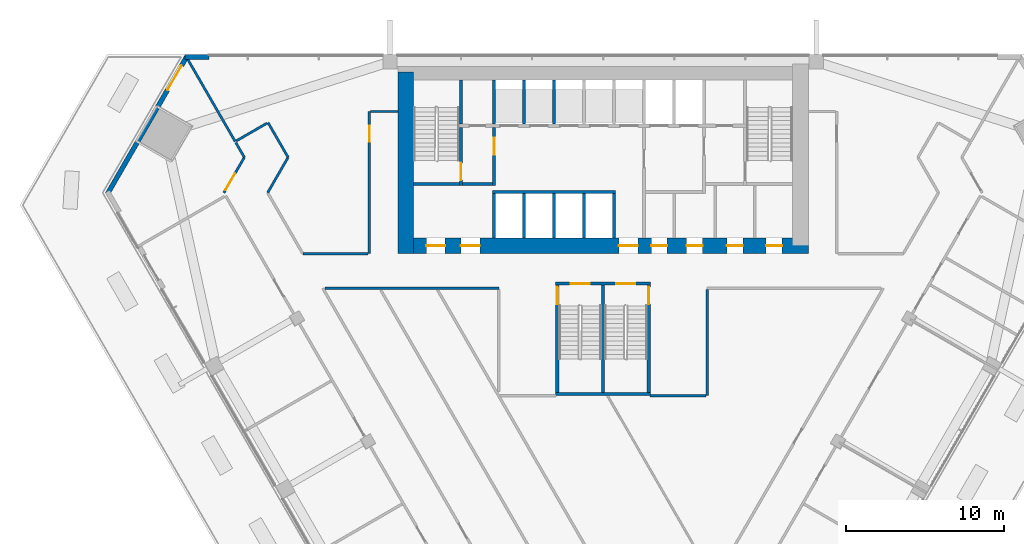
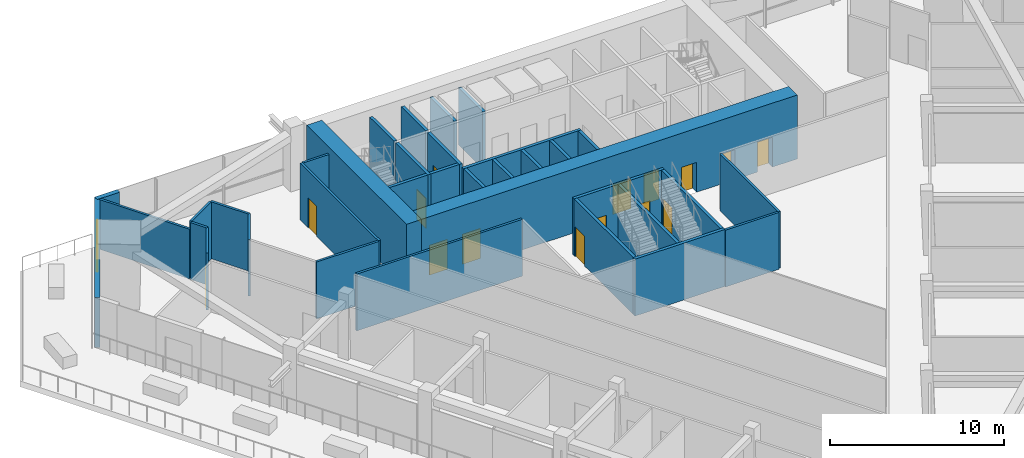
# One storey, part 10 of 15: 35 walls, 16 doors, 16 openings.
"""IFC4 building model written with IfcOpenShell, lengths in metres."""

from ifc_helpers import new_model, si_unit, direction, frame, frame_2d, origin, place, context, subcontext, project, spatial, rectangle, extrude, material, layer, layer_set, type_object, element, fill, save


model = new_model("IFC4")

# Units and contexts
model_context = context("Model", 3, precision=1e-05, world=origin(), true_north=direction((0.0, 1.0)))
body_context = subcontext(model_context, "Body", "Model", "MODEL_VIEW")
ifc_project = project(units=[si_unit("LENGTHUNIT", "METRE"), si_unit("AREAUNIT", "SQUARE_METRE"), si_unit("VOLUMEUNIT", "CUBIC_METRE"), si_unit("PLANEANGLEUNIT", "RADIAN"), si_unit("MASSUNIT", "GRAM", prefix="KILO")], contexts=[model_context])

# Site, building, storey
site_placement = place(None, origin())
site = spatial("IfcSite", under=ifc_project, at=site_placement, CompositionType="ELEMENT")
building_placement = place(site_placement, origin())
building = spatial("IfcBuilding", under=site, at=building_placement, Name="Altiplano Prism Tower", CompositionType="ELEMENT")
storey_placement = place(building_placement, frame((0.0, 0.0, 22.5)))
storey = spatial("IfcBuildingStorey", under=building, at=storey_placement, Name="L04", CompositionType="ELEMENT", Elevation=22.5)

# Wall, openings, doors
ifc_material_1 = material(Name="Concrete C70/85", Category="concrete")
ifc_layer_1 = layer(ifc_material_1, 1.0)
ifc_layer_set_1 = layer_set([ifc_layer_1], Name="Concrete C70/85")
wall_type_1 = type_object("IfcWallType", Name="Core wall 1000", PredefinedType="SHEAR", material=ifc_layer_set_1)
wall_1_placement = place(storey_placement, frame((72.5, 92.89990234375, 0.0), z_axis=(0.0, 0.0, 1.0), x_axis=(1.0, 0.0, 0.0)))
wall_1 = element("IfcWall", 1, at=wall_1_placement, inside=storey, type_object=wall_type_1, Name="Core wall S L04", PredefinedType="SHEAR", context=body_context, shape_type="SweptSolid", body=[
    extrude(rectangle(XDim=25.5, YDim=1.0, at=frame_2d((12.75, 0.0))), origin(), (0.0, 0.0, 1.0), 4.5),
])
opening_1_placement = place(wall_1_placement, frame((1.300048828125, 0.0, 0.0)))
opening_1 = element("IfcOpeningElement", 2, at=opening_1_placement, cuts=wall_1, Name="Opening D2645", PredefinedType="OPENING", context=body_context, shape_type="SweptSolid", body=[
    extrude(rectangle(XDim=1.199951171875, YDim=2.10009765625, at=frame_2d((0.60009765625, 1.050048828125))), frame((0.0, 0.510498046875, 0.0), z_axis=(0.0, -1.0, 0.0), x_axis=(1.0, 0.0, 0.0)), (0.0, 0.0, 1.0), 1.02099609375),
])
opening_2_placement = place(wall_1_placement, frame((3.5, 0.0, 0.0)))
opening_2 = element("IfcOpeningElement", 3, at=opening_2_placement, cuts=wall_1, Name="Opening D2646", PredefinedType="OPENING", context=body_context, shape_type="SweptSolid", body=[
    extrude(rectangle(XDim=1.199951171875, YDim=2.10009765625, at=frame_2d((0.60009765625, 1.050048828125))), frame((0.0, 0.510498046875, 0.0), z_axis=(0.0, -1.0, 0.0), x_axis=(1.0, 0.0, 0.0)), (0.0, 0.0, 1.0), 1.02099609375),
])
opening_3_placement = place(wall_1_placement, frame((13.5, 0.0, 0.0)))
opening_3 = element("IfcOpeningElement", 4, at=opening_3_placement, cuts=wall_1, Name="Opening D2647", PredefinedType="OPENING", context=body_context, shape_type="SweptSolid", body=[
    extrude(rectangle(XDim=1.199951171875, YDim=2.10009765625, at=frame_2d((0.60009765625, 1.050048828125))), frame((0.0, 0.510498046875, 0.0), z_axis=(0.0, -1.0, 0.0), x_axis=(1.0, 0.0, 0.0)), (0.0, 0.0, 1.0), 1.02099609375),
])
opening_4_placement = place(wall_1_placement, frame((15.5625, 0.0, 0.0)))
opening_4 = element("IfcOpeningElement", 5, at=opening_4_placement, cuts=wall_1, Name="Opening D2650", PredefinedType="OPENING", context=body_context, shape_type="SweptSolid", body=[
    extrude(rectangle(XDim=1.0, YDim=2.10009765625, at=frame_2d((0.5, 1.050048828125))), frame((0.0, 0.510498046875, 0.0), z_axis=(0.0, -1.0, 0.0), x_axis=(1.0, 0.0, 0.0)), (0.0, 0.0, 1.0), 1.02099609375),
])
opening_5_placement = place(wall_1_placement, frame((17.800048828125, 0.0, 0.0)))
opening_5 = element("IfcOpeningElement", 6, at=opening_5_placement, cuts=wall_1, Name="Opening D2651", PredefinedType="OPENING", context=body_context, shape_type="SweptSolid", body=[
    extrude(rectangle(XDim=1.0, YDim=2.10009765625, at=frame_2d((0.5, 1.050048828125))), frame((0.0, 0.510498046875, 0.0), z_axis=(0.0, -1.0, 0.0), x_axis=(1.0, 0.0, 0.0)), (0.0, 0.0, 1.0), 1.02099609375),
])
opening_6_placement = place(wall_1_placement, frame((20.35009765625, 0.0, 0.0)))
opening_6 = element("IfcOpeningElement", 7, at=opening_6_placement, cuts=wall_1, Name="Opening D2652", PredefinedType="OPENING", context=body_context, shape_type="SweptSolid", body=[
    extrude(rectangle(XDim=1.0, YDim=2.10009765625, at=frame_2d((0.5, 1.050048828125))), frame((0.0, 0.510498046875, 0.0), z_axis=(0.0, -1.0, 0.0), x_axis=(1.0, 0.0, 0.0)), (0.0, 0.0, 1.0), 1.02099609375),
])
opening_7_placement = place(wall_1_placement, frame((22.83740234375, 0.0, 0.0)))
opening_7 = element("IfcOpeningElement", 8, at=opening_7_placement, cuts=wall_1, Name="Opening D2653", PredefinedType="OPENING", context=body_context, shape_type="SweptSolid", body=[
    extrude(rectangle(XDim=1.0, YDim=2.10009765625, at=frame_2d((0.5, 1.050048828125))), frame((0.0, 0.510498046875, 0.0), z_axis=(0.0, -1.0, 0.0), x_axis=(1.0, 0.0, 0.0)), (0.0, 0.0, 1.0), 1.02099609375),
])
ifc_material_2 = material(Name="Fire-rated steel door", Category="steel")
door_type_1 = type_object("IfcDoorType", Name="Core room door 1000 x 2100", OperationType="NOTDEFINED", PredefinedType="NOTDEFINED", material=ifc_material_2)
door_1_placement = place(opening_4_placement, origin())
door_1 = element("IfcDoor", 9, at=door_1_placement, inside=storey, type_object=door_type_1, Name="Core room door D2650", OperationType="SINGLE_SWING_RIGHT", OverallHeight=2.10009765625, OverallWidth=1.0, PredefinedType="NOTDEFINED", context=body_context, shape_type="SweptSolid", body=[
    extrude(rectangle(XDim=1.0, YDim=2.10009765625, at=frame_2d((0.5, 1.050048828125))), frame((0.0, 0.02490234375, 0.0), z_axis=(0.0, -1.0, 0.0), x_axis=(1.0, 0.0, 0.0)), (0.0, 0.0, 1.0), 0.050048828125),
])
fill(opening_4, door_1)
door_2_placement = place(opening_5_placement, origin())
door_2 = element("IfcDoor", 10, at=door_2_placement, inside=storey, type_object=door_type_1, Name="Core room door D2651", OperationType="SINGLE_SWING_LEFT", OverallHeight=2.10009765625, OverallWidth=1.0, PredefinedType="NOTDEFINED", context=body_context, shape_type="SweptSolid", body=[
    extrude(rectangle(XDim=1.0, YDim=2.10009765625, at=frame_2d((0.5, 1.050048828125))), frame((0.0, 0.02490234375, 0.0), z_axis=(0.0, -1.0, 0.0), x_axis=(1.0, 0.0, 0.0)), (0.0, 0.0, 1.0), 0.050048828125),
])
fill(opening_5, door_2)
door_3_placement = place(opening_6_placement, origin())
door_3 = element("IfcDoor", 11, at=door_3_placement, inside=storey, type_object=door_type_1, Name="Core room door D2652", OperationType="SINGLE_SWING_RIGHT", OverallHeight=2.10009765625, OverallWidth=1.0, PredefinedType="NOTDEFINED", context=body_context, shape_type="SweptSolid", body=[
    extrude(rectangle(XDim=1.0, YDim=2.10009765625, at=frame_2d((0.5, 1.050048828125))), frame((0.0, 0.02490234375, 0.0), z_axis=(0.0, -1.0, 0.0), x_axis=(1.0, 0.0, 0.0)), (0.0, 0.0, 1.0), 0.050048828125),
])
fill(opening_6, door_3)
door_4_placement = place(opening_7_placement, origin())
door_4 = element("IfcDoor", 12, at=door_4_placement, inside=storey, type_object=door_type_1, Name="Core room door D2653", OperationType="SINGLE_SWING_LEFT", OverallHeight=2.10009765625, OverallWidth=1.0, PredefinedType="NOTDEFINED", context=body_context, shape_type="SweptSolid", body=[
    extrude(rectangle(XDim=1.0, YDim=2.10009765625, at=frame_2d((0.5, 1.050048828125))), frame((0.0, 0.02490234375, 0.0), z_axis=(0.0, -1.0, 0.0), x_axis=(1.0, 0.0, 0.0)), (0.0, 0.0, 1.0), 0.050048828125),
])
fill(opening_7, door_4)
door_type_2 = type_object("IfcDoorType", Name="Lobby fire door 1200 x 2100", OperationType="NOTDEFINED", PredefinedType="NOTDEFINED", material=ifc_material_2)
door_5_placement = place(opening_1_placement, origin())
door_5 = element("IfcDoor", 13, at=door_5_placement, inside=storey, type_object=door_type_2, Name="Lobby fire door D2645", OperationType="SINGLE_SWING_RIGHT", OverallHeight=2.10009765625, OverallWidth=1.199951171875, PredefinedType="NOTDEFINED", context=body_context, shape_type="SweptSolid", body=[
    extrude(rectangle(XDim=1.199951171875, YDim=2.10009765625, at=frame_2d((0.60009765625, 1.050048828125))), frame((0.0, 0.02490234375, 0.0), z_axis=(0.0, -1.0, 0.0), x_axis=(1.0, 0.0, 0.0)), (0.0, 0.0, 1.0), 0.050048828125),
])
fill(opening_1, door_5)
door_6_placement = place(opening_2_placement, origin())
door_6 = element("IfcDoor", 14, at=door_6_placement, inside=storey, type_object=door_type_2, Name="Lobby fire door D2646", OperationType="SINGLE_SWING_LEFT", OverallHeight=2.10009765625, OverallWidth=1.199951171875, PredefinedType="NOTDEFINED", context=body_context, shape_type="SweptSolid", body=[
    extrude(rectangle(XDim=1.199951171875, YDim=2.10009765625, at=frame_2d((0.60009765625, 1.050048828125))), frame((0.0, 0.02490234375, 0.0), z_axis=(0.0, -1.0, 0.0), x_axis=(1.0, 0.0, 0.0)), (0.0, 0.0, 1.0), 0.050048828125),
])
fill(opening_2, door_6)
door_7_placement = place(opening_3_placement, origin())
door_7 = element("IfcDoor", 15, at=door_7_placement, inside=storey, type_object=door_type_2, Name="Lobby fire door D2647", OperationType="SINGLE_SWING_RIGHT", OverallHeight=2.10009765625, OverallWidth=1.199951171875, PredefinedType="NOTDEFINED", context=body_context, shape_type="SweptSolid", body=[
    extrude(rectangle(XDim=1.199951171875, YDim=2.10009765625, at=frame_2d((0.60009765625, 1.050048828125))), frame((0.0, 0.02490234375, 0.0), z_axis=(0.0, -1.0, 0.0), x_axis=(1.0, 0.0, 0.0)), (0.0, 0.0, 1.0), 0.050048828125),
])
fill(opening_3, door_7)

# Walls
wall_2_placement = place(storey_placement, frame((72.5, 103.89990234375, 0.0), z_axis=(0.0, 0.0, 1.0), x_axis=(0.0, -1.0, 0.0)))
element("IfcWall", 16, at=wall_2_placement, inside=storey, type_object=wall_type_1, Name="Core wall W L04", PredefinedType="SHEAR", context=body_context, shape_type="SweptSolid", body=[
    extrude(rectangle(XDim=11.5, YDim=1.0, at=frame_2d((5.75, 0.0))), origin(), (0.0, 0.0, 1.0), 4.5),
])
ifc_material_3 = material(Name="Plasterboard on steel stud", Category="steel")
ifc_layer_2 = layer(ifc_material_3, 0.14990234375)
ifc_layer_set_2 = layer_set([ifc_layer_2], Name="Plasterboard on steel stud")
wall_type_2 = type_object("IfcWallType", Name="Partition 150 corridor", PredefinedType="PARTITIONING", material=ifc_layer_set_2)
wall_3_placement = place(storey_placement, frame((61.735595703125, 99.435791015625, 0.0), z_axis=(0.0, 0.0, 1.0), x_axis=(0.500002782129, -0.866023797515, 0.0)))
element("IfcWall", 17, at=wall_3_placement, inside=storey, type_object=wall_type_2, Name="Partition P06 L04 001", PredefinedType="PARTITIONING", context=body_context, shape_type="SweptSolid", body=[
    extrude(rectangle(XDim=1.08056640625, YDim=0.14990234375, at=frame_2d((0.540283203125, 0.0))), origin(), (0.0, 0.0, 1.0), 4.0),
])

# Wall, opening, door
wall_4_placement = place(storey_placement, frame((62.27587890625, 98.5, 0.0), z_axis=(0.0, 0.0, 1.0), x_axis=(-0.499939993713, -0.866060045659, 0.0)))
wall_4 = element("IfcWall", 18, at=wall_4_placement, inside=storey, type_object=wall_type_2, Name="Partition P06 L04 002", PredefinedType="PARTITIONING", context=body_context, shape_type="SweptSolid", body=[
    extrude(rectangle(XDim=2.590576171875, YDim=0.14990234375, at=frame_2d((1.29541015625, 0.0))), origin(), (0.0, 0.0, 1.0), 4.0),
])
opening_8_placement = place(wall_4_placement, frame((1.19091796875, 0.0, 0.0)))
opening_8 = element("IfcOpeningElement", 19, at=opening_8_placement, cuts=wall_4, Name="Opening D0112", PredefinedType="OPENING", context=body_context, shape_type="SweptSolid", body=[
    extrude(rectangle(XDim=1.199951171875, YDim=2.10009765625, at=frame_2d((0.60009765625, 1.050048828125))), frame((0.0, 0.08544921875, 0.0), z_axis=(0.0, -1.0, 0.0), x_axis=(1.0, 0.0, 0.0)), (0.0, 0.0, 1.0), 0.1708984375),
])
ifc_material_4 = material(Name="Timber", Category="wood")
door_type_3 = type_object("IfcDoorType", Name="Shared room door 1200 x 2100", OperationType="NOTDEFINED", PredefinedType="NOTDEFINED", material=ifc_material_4)
door_8_placement = place(opening_8_placement, origin())
door_8 = element("IfcDoor", 20, at=door_8_placement, inside=storey, type_object=door_type_3, Name="Door D0112", OperationType="SINGLE_SWING_LEFT", OverallHeight=2.10009765625, OverallWidth=1.199951171875, PredefinedType="NOTDEFINED", context=body_context, shape_type="SweptSolid", body=[
    extrude(rectangle(XDim=1.199951171875, YDim=2.10009765625, at=frame_2d((0.60009765625, 1.050048828125))), frame((0.0, 0.02490234375, 0.0), z_axis=(0.0, -1.0, 0.0), x_axis=(1.0, 0.0, 0.0)), (0.0, 0.0, 1.0), 0.050048828125),
])
fill(opening_8, door_8)

# Walls
wall_5_placement = place(storey_placement, frame((87.97998046875, 83.39990234375, 0.0), z_axis=(0.0, 0.0, 1.0), x_axis=(0.99999999763, -6.8851556e-05, 0.0)))
element("IfcWall", 21, at=wall_5_placement, inside=storey, type_object=wall_type_2, Name="Partition P06 L04 008", PredefinedType="PARTITIONING", context=body_context, shape_type="SweptSolid", body=[
    extrude(rectangle(XDim=3.5458984375, YDim=0.14990234375, at=frame_2d((1.77294921875, 0.0))), origin(), (0.0, 0.0, 1.0), 4.0),
])
wall_6_placement = place(storey_placement, frame((91.600830078125, 83.3994140625, 0.0), z_axis=(0.0, 0.0, 1.0), x_axis=(3.6305547e-05, 0.999999999341, 0.0)))
element("IfcWall", 22, at=wall_6_placement, inside=storey, type_object=wall_type_2, Name="Partition P06 L04 009", PredefinedType="PARTITIONING", context=body_context, shape_type="SweptSolid", body=[
    extrude(rectangle(XDim=6.724609375, YDim=0.14990234375, at=frame_2d((3.3623046875, 0.0))), origin(), (0.0, 0.0, 1.0), 4.0),
])
wall_7_placement = place(storey_placement, frame((72.0, 101.40087890625, 0.0), z_axis=(0.0, 0.0, 1.0), x_axis=(-0.999999909973, -0.000424328109, 0.0)))
element("IfcWall", 23, at=wall_7_placement, inside=storey, type_object=wall_type_2, Name="Partition P06 L04 022", PredefinedType="PARTITIONING", context=body_context, shape_type="SweptSolid", body=[
    extrude(rectangle(XDim=1.72607421875, YDim=0.14990234375, at=frame_2d((0.863037109375, 0.0))), origin(), (0.0, 0.0, 1.0), 4.0),
])

# Wall, opening, door
wall_8_placement = place(storey_placement, frame((70.198974609375, 101.400146484375, 0.0), z_axis=(0.0, 0.0, 1.0), x_axis=(0.0, -1.0, 0.0)))
wall_8 = element("IfcWall", 24, at=wall_8_placement, inside=storey, type_object=wall_type_2, Name="Partition P06 L04 023", PredefinedType="PARTITIONING", context=body_context, shape_type="SweptSolid", body=[
    extrude(rectangle(XDim=8.999267578125, YDim=0.14990234375, at=frame_2d((4.49951171875, 0.0))), origin(), (0.0, 0.0, 1.0), 4.0),
])
opening_9_placement = place(wall_8_placement, frame((0.902099609375, 0.0, 0.0)))
opening_9 = element("IfcOpeningElement", 25, at=opening_9_placement, cuts=wall_8, Name="Opening D0132", PredefinedType="OPENING", context=body_context, shape_type="SweptSolid", body=[
    extrude(rectangle(XDim=1.0, YDim=2.10009765625, at=frame_2d((0.5, 1.050048828125))), frame((0.0, 0.08544921875, 0.0), z_axis=(0.0, -1.0, 0.0), x_axis=(1.0, 0.0, 0.0)), (0.0, 0.0, 1.0), 0.1708984375),
])
door_type_4 = type_object("IfcDoorType", Name="Store door 1000 x 2100", OperationType="NOTDEFINED", PredefinedType="NOTDEFINED", material=ifc_material_4)
door_9_placement = place(opening_9_placement, origin())
door_9 = element("IfcDoor", 26, at=door_9_placement, inside=storey, type_object=door_type_4, Name="Door D0132", OperationType="SINGLE_SWING_LEFT", OverallHeight=2.10009765625, OverallWidth=1.0, PredefinedType="NOTDEFINED", context=body_context, shape_type="SweptSolid", body=[
    extrude(rectangle(XDim=1.0, YDim=2.10009765625, at=frame_2d((0.5, 1.050048828125))), frame((0.0, 0.02490234375, 0.0), z_axis=(0.0, -1.0, 0.0), x_axis=(1.0, 0.0, 0.0)), (0.0, 0.0, 1.0), 0.050048828125),
])
fill(opening_9, door_9)

# Walls
wall_9_placement = place(storey_placement, frame((70.1240234375, 92.40087890625, 0.0), z_axis=(0.0, 0.0, 1.0), x_axis=(-1.0, 0.0, 0.0)))
element("IfcWall", 27, at=wall_9_placement, inside=storey, type_object=wall_type_2, Name="Partition P06 L04 024", PredefinedType="PARTITIONING", context=body_context, shape_type="SweptSolid", body=[
    extrude(rectangle(XDim=4.14501953125, YDim=0.14990234375, at=frame_2d((2.072509765625, 0.0))), origin(), (0.0, 0.0, 1.0), 4.0),
])
wall_10_placement = place(storey_placement, frame((63.753173828125, 96.25634765625, 0.0), z_axis=(0.0, 0.0, 1.0), x_axis=(0.499939993713, 0.866060045659, 0.0)))
element("IfcWall", 28, at=wall_10_placement, inside=storey, type_object=wall_type_2, Name="Partition P06 L04 026", PredefinedType="PARTITIONING", context=body_context, shape_type="SweptSolid", body=[
    extrude(rectangle(XDim=2.590576171875, YDim=0.14990234375, at=frame_2d((1.29541015625, 0.0))), origin(), (0.0, 0.0, 1.0), 4.0),
])
wall_11_placement = place(storey_placement, frame((65.04833984375, 98.5, 0.0), z_axis=(0.0, 0.0, 1.0), x_axis=(-0.500024647231, 0.866011173231, 0.0)))
element("IfcWall", 29, at=wall_11_placement, inside=storey, type_object=wall_type_2, Name="Partition P06 L04 027", PredefinedType="PARTITIONING", context=body_context, shape_type="SweptSolid", body=[
    extrude(rectangle(XDim=2.540771484375, YDim=0.14990234375, at=frame_2d((1.2705078125, 0.0))), origin(), (0.0, 0.0, 1.0), 4.0),
])
wall_12_placement = place(storey_placement, frame((63.712890625, 100.6630859375, 0.0), z_axis=(0.0, 0.0, 1.0), x_axis=(-0.866200031611, -0.499697413678, 0.0)))
element("IfcWall", 30, at=wall_12_placement, inside=storey, type_object=wall_type_2, Name="Partition P06 L04 028", PredefinedType="PARTITIONING", context=body_context, shape_type="SweptSolid", body=[
    extrude(rectangle(XDim=2.2509765625, YDim=0.14990234375, at=frame_2d((1.12548828125, 0.0))), origin(), (0.0, 0.0, 1.0), 4.0),
])
wall_13_placement = place(storey_placement, frame((67.380126953125, 90.198974609375, 0.0), z_axis=(0.0, 0.0, 1.0), x_axis=(1.0, 0.0, 0.0)))
element("IfcWall", 31, at=wall_13_placement, inside=storey, type_object=wall_type_2, Name="Partition P06 L04 029", PredefinedType="PARTITIONING", context=body_context, shape_type="SweptSolid", body=[
    extrude(rectangle(XDim=11.018798828125, YDim=0.14990234375, at=frame_2d((5.50927734375, 0.0))), origin(), (0.0, 0.0, 1.0), 4.0),
])
ifc_layer_3 = layer(ifc_material_3, 0.14990234375)
ifc_layer_set_3 = layer_set([ifc_layer_3], Name="Plasterboard on steel stud")
wall_type_3 = type_object("IfcWallType", Name="Partition 150 party", PredefinedType="PARTITIONING", material=ifc_layer_set_3)
wall_14_placement = place(storey_placement, frame((61.697998046875, 99.5009765625, 0.0), z_axis=(0.0, 0.0, 1.0), x_axis=(-0.500013984911, 0.866017329442, 0.0)))
element("IfcWall", 32, at=wall_14_placement, inside=storey, type_object=wall_type_3, Name="Partition P01 L04 031", PredefinedType="PARTITIONING", context=body_context, shape_type="SweptSolid", body=[
    extrude(rectangle(XDim=6.234130859375, YDim=0.14990234375, at=frame_2d((3.1171875, 0.0))), origin(), (0.0, 0.0, 1.0), 3.5),
])
ifc_material_5 = material(Name="Concrete C60/75", Category="concrete")
ifc_layer_4 = layer(ifc_material_5, 0.199951171875)
ifc_layer_set_4 = layer_set([ifc_layer_4], Name="Concrete C60/75")
wall_type_4 = type_object("IfcWallType", Name="Shaft wall 200", PredefinedType="SOLIDWALL", material=ifc_layer_set_4)
for number, where, z_axis, x_axis, name in (
    (33, (78.10009765625, 93.39990234375, 0.0), (0.0, 0.0, 1.0), (0.0, 1.0, 0.0), "Shaft wall L04"),
    (34, (80.0, 93.39990234375, 0.0), (0.0, 0.0, 1.0), (0.0, 1.0, 0.0), "Shaft wall L04"),
    (35, (81.89990234375, 93.39990234375, 0.0), (0.0, 0.0, 1.0), (0.0, 1.0, 0.0), "Shaft wall L04"),
    (36, (83.800048828125, 93.39990234375, 0.0), (0.0, 0.0, 1.0), (0.0, 1.0, 0.0), "Shaft wall L04"),
    (37, (85.699951171875, 93.39990234375, 0.0), (0.0, 0.0, 1.0), (0.0, 1.0, 0.0), "Shaft wall L04"),
):
    element("IfcWall", number, at=place(storey_placement, frame(where, z_axis=z_axis, x_axis=x_axis)), inside=storey, type_object=wall_type_4, Name=name, PredefinedType="SOLIDWALL", context=body_context, shape_type="SweptSolid", body=[
        extrude(rectangle(XDim=2.800048828125, YDim=0.199951171875, at=frame_2d((1.39990234375, 0.0))), origin(), (0.0, 0.0, 1.0), 4.0),
    ])
wall_15_placement = place(storey_placement, frame((78.0, 96.300048828125, 0.0), z_axis=(0.0, 0.0, 1.0), x_axis=(1.0, 0.0, 0.0)))
element("IfcWall", 38, at=wall_15_placement, inside=storey, type_object=wall_type_4, Name="Shaft wall L04", PredefinedType="SOLIDWALL", context=body_context, shape_type="SweptSolid", body=[
    extrude(rectangle(XDim=7.800048828125, YDim=0.199951171875, at=frame_2d((3.89990234375, 0.0))), origin(), (0.0, 0.0, 1.0), 4.0),
])
for number, where, z_axis, x_axis, name in (
    (39, (78.10009765625, 100.60009765625, 0.0), (0.0, 0.0, 1.0), (0.0, 1.0, 0.0), "Shaft wall L04"),
    (40, (80.0, 100.60009765625, 0.0), (0.0, 0.0, 1.0), (0.0, 1.0, 0.0), "Shaft wall L04"),
    (41, (81.89990234375, 100.60009765625, 0.0), (0.0, 0.0, 1.0), (0.0, 1.0, 0.0), "Shaft wall L04"),
):
    element("IfcWall", number, at=place(storey_placement, frame(where, z_axis=z_axis, x_axis=x_axis)), inside=storey, type_object=wall_type_4, Name=name, PredefinedType="SOLIDWALL", context=body_context, shape_type="SweptSolid", body=[
        extrude(rectangle(XDim=2.7998046875, YDim=0.199951171875, at=frame_2d((1.39990234375, 0.0))), origin(), (0.0, 0.0, 1.0), 4.0),
    ])
ifc_layer_5 = layer(ifc_material_5, 0.199951171875)
ifc_layer_set_5 = layer_set([ifc_layer_5], Name="Concrete C60/75")
wall_type_5 = type_object("IfcWallType", Name="Stair wall 200", PredefinedType="SOLIDWALL", material=ifc_layer_set_5)
wall_16_placement = place(storey_placement, frame((73.0, 96.800048828125, 0.0), z_axis=(0.0, 0.0, 1.0), x_axis=(1.0, 0.0, 0.0)))
element("IfcWall", 42, at=wall_16_placement, inside=storey, type_object=wall_type_5, Name="Stair wall L04", PredefinedType="SOLIDWALL", context=body_context, shape_type="SweptSolid", body=[
    extrude(rectangle(XDim=2.89990234375, YDim=0.199951171875, at=frame_2d((1.449951171875, 0.0))), origin(), (0.0, 0.0, 1.0), 4.0),
])

# Wall, opening, door
wall_17_placement = place(storey_placement, frame((76.0, 96.699951171875, 0.0), z_axis=(0.0, 0.0, 1.0), x_axis=(0.0, 1.0, 0.0)))
wall_17 = element("IfcWall", 43, at=wall_17_placement, inside=storey, type_object=wall_type_5, Name="Stair wall L04", PredefinedType="SOLIDWALL", context=body_context, shape_type="SweptSolid", body=[
    extrude(rectangle(XDim=3.699951171875, YDim=0.199951171875, at=frame_2d((1.85009765625, 0.0))), origin(), (0.0, 0.0, 1.0), 4.0),
])
opening_10_placement = place(wall_17_placement, frame((0.35009765625, 0.0, 0.0)))
opening_10 = element("IfcOpeningElement", 44, at=opening_10_placement, cuts=wall_17, Name="Opening D2640", PredefinedType="OPENING", context=body_context, shape_type="SweptSolid", body=[
    extrude(rectangle(XDim=1.10009765625, YDim=2.10009765625, at=frame_2d((0.550048828125, 1.050048828125))), frame((0.0, 0.1103515625, 0.0), z_axis=(0.0, -1.0, 0.0), x_axis=(1.0, 0.0, 0.0)), (0.0, 0.0, 1.0), 0.220947265625),
])
door_type_5 = type_object("IfcDoorType", Name="Stair fire door 1100 x 2100", OperationType="NOTDEFINED", PredefinedType="NOTDEFINED", material=ifc_material_2)
door_10_placement = place(opening_10_placement, origin())
door_10 = element("IfcDoor", 45, at=door_10_placement, inside=storey, type_object=door_type_5, Name="Stair fire door D2640", OperationType="SINGLE_SWING_RIGHT", OverallHeight=2.10009765625, OverallWidth=1.10009765625, PredefinedType="NOTDEFINED", context=body_context, shape_type="SweptSolid", body=[
    extrude(rectangle(XDim=1.10009765625, YDim=2.10009765625, at=frame_2d((0.550048828125, 1.050048828125))), frame((0.0, 0.02490234375, 0.0), z_axis=(0.0, -1.0, 0.0), x_axis=(1.0, 0.0, 0.0)), (0.0, 0.0, 1.0), 0.050048828125),
])
fill(opening_10, door_10)

# Wall
wall_18_placement = place(storey_placement, frame((76.0, 100.60009765625, 0.0), z_axis=(0.0, 0.0, 1.0), x_axis=(0.0, 1.0, 0.0)))
element("IfcWall", 46, at=wall_18_placement, inside=storey, type_object=wall_type_5, Name="Stair wall L04", PredefinedType="SOLIDWALL", context=body_context, shape_type="SweptSolid", body=[
    extrude(rectangle(XDim=2.7998046875, YDim=0.199951171875, at=frame_2d((1.39990234375, 0.0))), origin(), (0.0, 0.0, 1.0), 4.0),
])

# Wall, openings, doors
wall_19_placement = place(storey_placement, frame((82.0, 90.5, 0.0), z_axis=(0.0, 0.0, 1.0), x_axis=(1.0, 0.0, 0.0)))
wall_19 = element("IfcWall", 47, at=wall_19_placement, inside=storey, type_object=wall_type_5, Name="Stair 3 wall north L04", PredefinedType="SOLIDWALL", context=body_context, shape_type="SweptSolid", body=[
    extrude(rectangle(XDim=6.0, YDim=0.199951171875, at=frame_2d((3.0, 0.0))), origin(), (0.0, 0.0, 1.0), 4.0),
])
opening_11_placement = place(wall_19_placement, frame((0.949951171875, 0.0, 0.0)))
opening_11 = element("IfcOpeningElement", 48, at=opening_11_placement, cuts=wall_19, Name="Opening D3928", PredefinedType="OPENING", context=body_context, shape_type="SweptSolid", body=[
    extrude(rectangle(XDim=1.199951171875, YDim=2.10009765625, at=frame_2d((0.60009765625, 1.050048828125))), frame((0.0, 0.1103515625, 0.0), z_axis=(0.0, -1.0, 0.0), x_axis=(1.0, 0.0, 0.0)), (0.0, 0.0, 1.0), 0.220947265625),
])
opening_12_placement = place(wall_19_placement, frame((3.85009765625, 0.0, 0.0)))
opening_12 = element("IfcOpeningElement", 49, at=opening_12_placement, cuts=wall_19, Name="Opening D3930", PredefinedType="OPENING", context=body_context, shape_type="SweptSolid", body=[
    extrude(rectangle(XDim=1.199951171875, YDim=2.10009765625, at=frame_2d((0.60009765625, 1.050048828125))), frame((0.0, 0.1103515625, 0.0), z_axis=(0.0, -1.0, 0.0), x_axis=(1.0, 0.0, 0.0)), (0.0, 0.0, 1.0), 0.220947265625),
])
door_type_6 = type_object("IfcDoorType", Name="Stair fire door 1200 x 2100", OperationType="NOTDEFINED", PredefinedType="NOTDEFINED", material=ifc_material_2)
door_11_placement = place(opening_11_placement, origin())
door_11 = element("IfcDoor", 50, at=door_11_placement, inside=storey, type_object=door_type_6, Name="Stair fire door D3928", OperationType="SINGLE_SWING_LEFT", OverallHeight=2.10009765625, OverallWidth=1.199951171875, PredefinedType="NOTDEFINED", context=body_context, shape_type="SweptSolid", body=[
    extrude(rectangle(XDim=1.199951171875, YDim=2.10009765625, at=frame_2d((0.60009765625, 1.050048828125))), frame((0.0, 0.02490234375, 0.0), z_axis=(0.0, -1.0, 0.0), x_axis=(1.0, 0.0, 0.0)), (0.0, 0.0, 1.0), 0.050048828125),
])
fill(opening_11, door_11)
door_12_placement = place(opening_12_placement, origin())
door_12 = element("IfcDoor", 51, at=door_12_placement, inside=storey, type_object=door_type_6, Name="Stair fire door D3930", OperationType="SINGLE_SWING_LEFT", OverallHeight=2.10009765625, OverallWidth=1.199951171875, PredefinedType="NOTDEFINED", context=body_context, shape_type="SweptSolid", body=[
    extrude(rectangle(XDim=1.199951171875, YDim=2.10009765625, at=frame_2d((0.60009765625, 1.050048828125))), frame((0.0, 0.02490234375, 0.0), z_axis=(0.0, -1.0, 0.0), x_axis=(1.0, 0.0, 0.0)), (0.0, 0.0, 1.0), 0.050048828125),
])
fill(opening_12, door_12)

# Wall
wall_20_placement = place(storey_placement, frame((82.0, 83.5, 0.0), z_axis=(0.0, 0.0, 1.0), x_axis=(1.0, 0.0, 0.0)))
element("IfcWall", 52, at=wall_20_placement, inside=storey, type_object=wall_type_5, Name="Stair 3 wall south L04", PredefinedType="SOLIDWALL", context=body_context, shape_type="SweptSolid", body=[
    extrude(rectangle(XDim=6.0, YDim=0.199951171875, at=frame_2d((3.0, 0.0))), origin(), (0.0, 0.0, 1.0), 4.0),
])

# Wall, opening, door
wall_21_placement = place(storey_placement, frame((82.10009765625, 83.60009765625, 0.0), z_axis=(0.0, 0.0, 1.0), x_axis=(0.0, 1.0, 0.0)))
wall_21 = element("IfcWall", 53, at=wall_21_placement, inside=storey, type_object=wall_type_5, Name="Stair 3 wall west L04", PredefinedType="SOLIDWALL", context=body_context, shape_type="SweptSolid", body=[
    extrude(rectangle(XDim=6.7998046875, YDim=0.199951171875, at=frame_2d((3.39990234375, 0.0))), origin(), (0.0, 0.0, 1.0), 4.0),
])
opening_13_placement = place(wall_21_placement, frame((5.60009765625, 0.0, 0.0)))
opening_13 = element("IfcOpeningElement", 54, at=opening_13_placement, cuts=wall_21, Name="Opening D3929", PredefinedType="OPENING", context=body_context, shape_type="SweptSolid", body=[
    extrude(rectangle(XDim=1.10009765625, YDim=2.10009765625, at=frame_2d((0.550048828125, 1.050048828125))), frame((0.0, 0.1103515625, 0.0), z_axis=(0.0, -1.0, 0.0), x_axis=(1.0, 0.0, 0.0)), (0.0, 0.0, 1.0), 0.220947265625),
])
door_13_placement = place(opening_13_placement, origin())
door_13 = element("IfcDoor", 55, at=door_13_placement, inside=storey, type_object=door_type_5, Name="Stair fire door D3929", OperationType="SINGLE_SWING_LEFT", OverallHeight=2.10009765625, OverallWidth=1.10009765625, PredefinedType="NOTDEFINED", context=body_context, shape_type="SweptSolid", body=[
    extrude(rectangle(XDim=1.10009765625, YDim=2.10009765625, at=frame_2d((0.550048828125, 1.050048828125))), frame((0.0, 0.02490234375, 0.0), z_axis=(0.0, -1.0, 0.0), x_axis=(1.0, 0.0, 0.0)), (0.0, 0.0, 1.0), 0.050048828125),
])
fill(opening_13, door_13)

wall_22_placement = place(storey_placement, frame((87.89990234375, 83.60009765625, 0.0), z_axis=(0.0, 0.0, 1.0), x_axis=(0.0, 1.0, 0.0)))
wall_22 = element("IfcWall", 56, at=wall_22_placement, inside=storey, type_object=wall_type_5, Name="Stair 3 wall east L04", PredefinedType="SOLIDWALL", context=body_context, shape_type="SweptSolid", body=[
    extrude(rectangle(XDim=6.7998046875, YDim=0.199951171875, at=frame_2d((3.39990234375, 0.0))), origin(), (0.0, 0.0, 1.0), 4.0),
])
opening_14_placement = place(wall_22_placement, frame((5.60009765625, 0.0, 0.0)))
opening_14 = element("IfcOpeningElement", 57, at=opening_14_placement, cuts=wall_22, Name="Opening D3931", PredefinedType="OPENING", context=body_context, shape_type="SweptSolid", body=[
    extrude(rectangle(XDim=1.10009765625, YDim=2.10009765625, at=frame_2d((0.550048828125, 1.050048828125))), frame((0.0, 0.1103515625, 0.0), z_axis=(0.0, -1.0, 0.0), x_axis=(1.0, 0.0, 0.0)), (0.0, 0.0, 1.0), 0.220947265625),
])
door_14_placement = place(opening_14_placement, frame((1.10009765625, 0.0, 0.0), z_axis=(0.0, 0.0, 1.0), x_axis=(-1.0, 0.0, 0.0)))
door_14 = element("IfcDoor", 58, at=door_14_placement, inside=storey, type_object=door_type_5, Name="Stair fire door D3931", OperationType="SINGLE_SWING_LEFT", OverallHeight=2.10009765625, OverallWidth=1.10009765625, PredefinedType="NOTDEFINED", context=body_context, shape_type="SweptSolid", body=[
    extrude(rectangle(XDim=1.10009765625, YDim=2.10009765625, at=frame_2d((0.550048828125, 1.050048828125))), frame((0.0, 0.02490234375, 0.0), z_axis=(0.0, -1.0, 0.0), x_axis=(1.0, 0.0, 0.0)), (0.0, 0.0, 1.0), 0.050048828125),
])
fill(opening_14, door_14)

# Walls
wall_23_placement = place(storey_placement, frame((85.0, 83.60009765625, 0.0), z_axis=(0.0, 0.0, 1.0), x_axis=(0.0, 1.0, 0.0)))
element("IfcWall", 59, at=wall_23_placement, inside=storey, type_object=wall_type_5, Name="Stair 3 wall divider L04", PredefinedType="SOLIDWALL", context=body_context, shape_type="SweptSolid", body=[
    extrude(rectangle(XDim=6.7998046875, YDim=0.199951171875, at=frame_2d((3.39990234375, 0.0))), origin(), (0.0, 0.0, 1.0), 4.0),
])
ifc_material_6 = material(Name="Concrete C40", Category="concrete")
ifc_layer_6 = layer(ifc_material_6, 0.300048828125)
ifc_layer_set_6 = layer_set([ifc_layer_6], Name="Concrete C40")
wall_type_6 = type_object("IfcWallType", Name="Stone-clad external wall 300", PredefinedType="SOLIDWALL", material=ifc_layer_set_6)
wall_24_placement = place(storey_placement, frame((58.523193359375, 104.85009765625, 0.0), z_axis=(0.0, 0.0, 1.0), x_axis=(1.0, 0.0, 0.0)))
element("IfcWall", 60, at=wall_24_placement, inside=storey, type_object=wall_type_6, Name="External wall north face L04", PredefinedType="SOLIDWALL", context=body_context, shape_type="SweptSolid", body=[
    extrude(rectangle(XDim=1.5, YDim=0.300048828125, at=frame_2d((0.75, 0.0))), origin(), (0.0, 0.0, 1.0), 3.5),
])

# Wall, opening, door
wall_25_placement = place(storey_placement, frame((53.60498046875, 96.181396484375, 0.0), z_axis=(0.0, 0.0, 1.0), x_axis=(0.499995964007, 0.866027733953, 0.0)))
wall_25 = element("IfcWall", 61, at=wall_25_placement, inside=storey, type_object=wall_type_6, Name="External wall north-west chamfer L04", PredefinedType="SOLIDWALL", context=body_context, shape_type="SweptSolid", body=[
    extrude(rectangle(XDim=10.09619140625, YDim=0.300048828125, at=frame_2d((5.048095703125, 0.0))), origin(), (0.0, 0.0, 1.0), 3.5),
])
opening_15_placement = place(wall_25_placement, frame((7.59619140625, 0.0, 0.0)))
opening_15 = element("IfcOpeningElement", 62, at=opening_15_placement, cuts=wall_25, Name="Opening D2562", PredefinedType="OPENING", context=body_context, shape_type="SweptSolid", body=[
    extrude(rectangle(XDim=1.800048828125, YDim=2.39990234375, at=frame_2d((0.89990234375, 1.199951171875))), frame((0.0, 0.16064453125, 0.0), z_axis=(0.0, -1.0, 0.0), x_axis=(1.0, 0.0, 0.0)), (0.0, 0.0, 1.0), 0.321044921875),
])
ifc_material_7 = material(Name="Glass", Category="glass")
door_type_7 = type_object("IfcDoorType", Name="Terrace door 1800 x 2400", OperationType="NOTDEFINED", PredefinedType="NOTDEFINED", material=ifc_material_7)
door_15_placement = place(opening_15_placement, origin())
door_15 = element("IfcDoor", 63, at=door_15_placement, inside=storey, type_object=door_type_7, Name="Terrace door", OperationType="DOUBLE_DOOR_SINGLE_SWING", OverallHeight=2.39990234375, OverallWidth=1.800048828125, PredefinedType="NOTDEFINED", context=body_context, shape_type="SweptSolid", body=[
    extrude(rectangle(XDim=1.800048828125, YDim=2.39990234375, at=frame_2d((0.89990234375, 1.199951171875))), frame((0.0, 0.02490234375, 0.0), z_axis=(0.0, -1.0, 0.0), x_axis=(1.0, 0.0, 0.0)), (0.0, 0.0, 1.0), 0.050048828125),
])
fill(opening_15, door_15)

# Wall
ifc_layer_7 = layer(ifc_material_5, 0.199951171875)
ifc_layer_set_7 = layer_set([ifc_layer_7], Name="Concrete C60/75")
wall_type_7 = type_object("IfcWallType", Name="Vestibule wall 200", PredefinedType="PARTITIONING", material=ifc_layer_set_7)
wall_26_placement = place(storey_placement, frame((76.10009765625, 96.800048828125, 0.0), z_axis=(0.0, 0.0, 1.0), x_axis=(1.0, 0.0, 0.0)))
element("IfcWall", 64, at=wall_26_placement, inside=storey, type_object=wall_type_7, Name="Vestibule wall L04", PredefinedType="PARTITIONING", context=body_context, shape_type="SweptSolid", body=[
    extrude(rectangle(XDim=1.89990234375, YDim=0.199951171875, at=frame_2d((0.949951171875, 0.0))), origin(), (0.0, 0.0, 1.0), 4.0),
])

# Wall, opening, door
wall_27_placement = place(storey_placement, frame((78.10009765625, 96.699951171875, 0.0), z_axis=(0.0, 0.0, 1.0), x_axis=(0.0, 1.0, 0.0)))
wall_27 = element("IfcWall", 65, at=wall_27_placement, inside=storey, type_object=wall_type_7, Name="Vestibule wall L04", PredefinedType="PARTITIONING", context=body_context, shape_type="SweptSolid", body=[
    extrude(rectangle(XDim=3.699951171875, YDim=0.199951171875, at=frame_2d((1.85009765625, 0.0))), origin(), (0.0, 0.0, 1.0), 4.0),
])
opening_16_placement = place(wall_27_placement, frame((1.949951171875, 0.0, 0.0)))
opening_16 = element("IfcOpeningElement", 66, at=opening_16_placement, cuts=wall_27, Name="Opening D2642", PredefinedType="OPENING", context=body_context, shape_type="SweptSolid", body=[
    extrude(rectangle(XDim=1.10009765625, YDim=2.10009765625, at=frame_2d((0.550048828125, 1.050048828125))), frame((0.0, 0.1103515625, 0.0), z_axis=(0.0, -1.0, 0.0), x_axis=(1.0, 0.0, 0.0)), (0.0, 0.0, 1.0), 0.220947265625),
])
door_type_8 = type_object("IfcDoorType", Name="Vestibule fire door 1100 x 2100", OperationType="NOTDEFINED", PredefinedType="NOTDEFINED", material=ifc_material_2)
door_16_placement = place(opening_16_placement, origin())
door_16 = element("IfcDoor", 67, at=door_16_placement, inside=storey, type_object=door_type_8, Name="Vestibule fire door D2642", OperationType="SINGLE_SWING_LEFT", OverallHeight=2.10009765625, OverallWidth=1.10009765625, PredefinedType="NOTDEFINED", context=body_context, shape_type="SweptSolid", body=[
    extrude(rectangle(XDim=1.10009765625, YDim=2.10009765625, at=frame_2d((0.550048828125, 1.050048828125))), frame((0.0, 0.02490234375, 0.0), z_axis=(0.0, -1.0, 0.0), x_axis=(1.0, 0.0, 0.0)), (0.0, 0.0, 1.0), 0.050048828125),
])
fill(opening_16, door_16)

save(model, "model.ifc")
